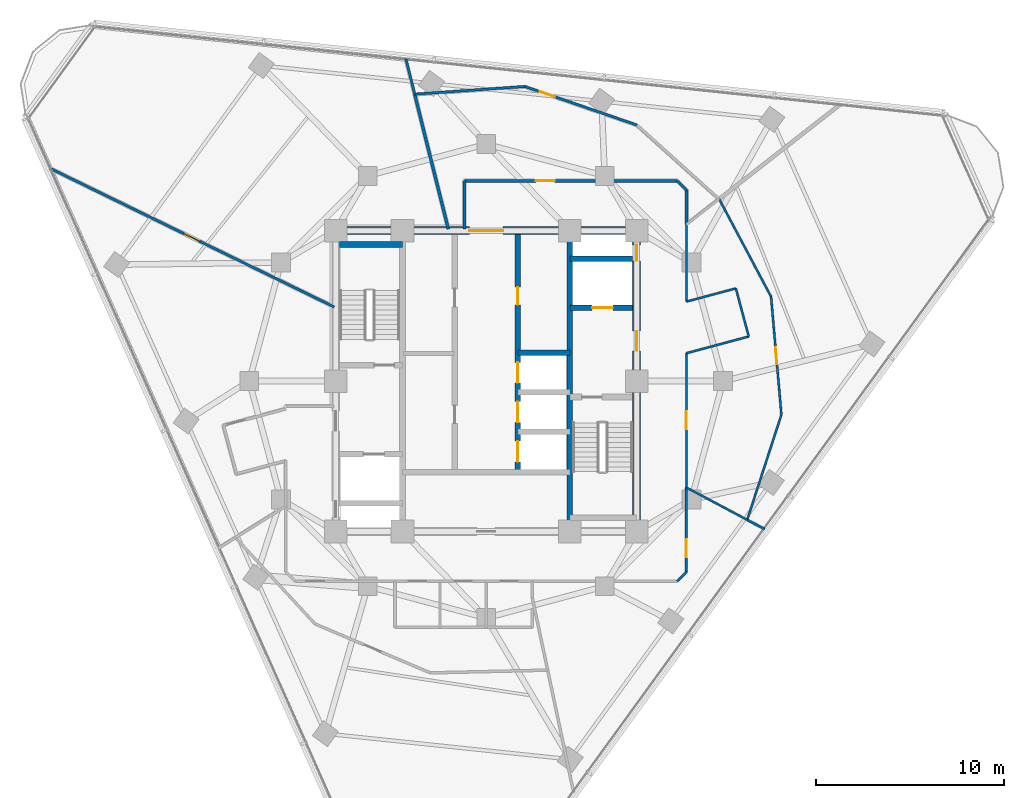
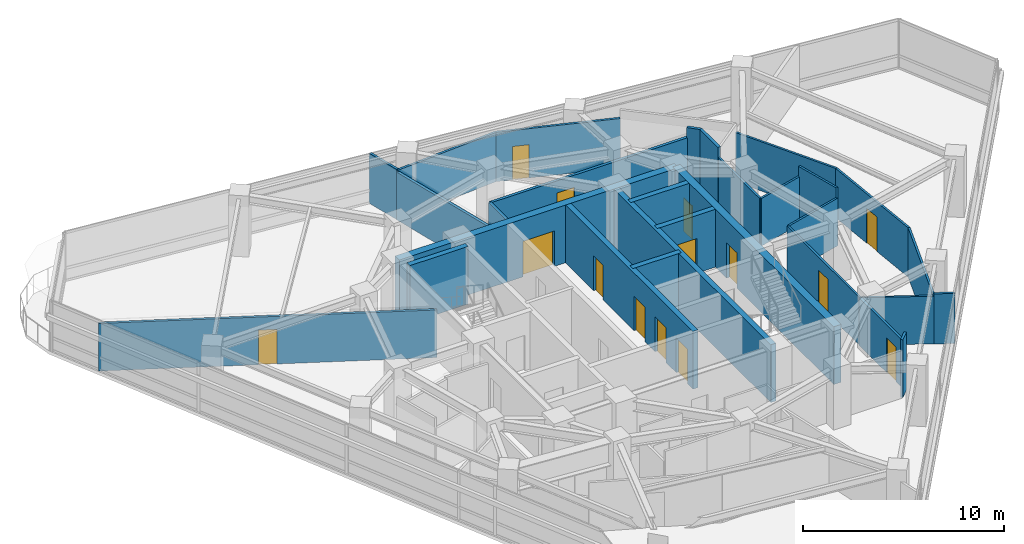
# One storey, part 9 of 14: 29 walls, 14 doors, 14 openings.
"""IFC4 building model written with IfcOpenShell, lengths in metres."""

from ifc_helpers import new_model, si_unit, direction, frame, frame_2d, origin, place, context, subcontext, project, spatial, rectangle, extrude, material, layer, layer_set, type_object, element, fill, save


model = new_model("IFC4")

# Units and contexts
model_context = context("Model", 3, precision=1e-05, world=origin(), true_north=direction((0.0, 1.0)))
body_context = subcontext(model_context, "Body", "Model", "MODEL_VIEW")
ifc_project = project(units=[si_unit("LENGTHUNIT", "METRE"), si_unit("AREAUNIT", "SQUARE_METRE"), si_unit("VOLUMEUNIT", "CUBIC_METRE"), si_unit("PLANEANGLEUNIT", "RADIAN"), si_unit("MASSUNIT", "GRAM", prefix="KILO")], contexts=[model_context])

# Site, building, storey
site_placement = place(None, origin())
site = spatial("IfcSite", under=ifc_project, at=site_placement, CompositionType="ELEMENT")
building_placement = place(site_placement, origin())
building = spatial("IfcBuilding", under=site, at=building_placement, Name="Terralouvre Media Tower", CompositionType="ELEMENT")
storey_placement = place(building_placement, frame((0.0, 0.0, 222.60009765625)))
storey = spatial("IfcBuildingStorey", under=building, at=storey_placement, Name="L57", CompositionType="ELEMENT", Elevation=222.60009765625)

# Walls
ifc_material_1 = material(Name="Concrete C50/60", Category="concrete")
ifc_layer_1 = layer(ifc_material_1, 0.300048828125, Name="Core Internal Shaft Wall CW-300")
ifc_layer_set_1 = layer_set([ifc_layer_1], Name="Concrete C50/60")
wall_type_1 = type_object("IfcWallType", Name="Core Internal Shaft Wall CW-300", PredefinedType="SHEAR", material=ifc_layer_set_1)
wall_1_placement = place(storey_placement, frame((4.449951171875, -7.7900390625, 0.0), z_axis=(0.0, 0.0, 1.0), x_axis=(0.0, 1.0, 0.0)))
element("IfcWall", 1, at=wall_1_placement, inside=storey, type_object=wall_type_1, Name="L57 Core Shaft Wall SPE", PredefinedType="SHEAR", context=body_context, shape_type="SweptSolid", body=[
    extrude(rectangle(XDim=15.580078125, YDim=0.300048828125, at=frame_2d((7.7900390625, 0.0))), origin(), (0.0, 0.0, 1.0), 3.5),
])
wall_2_placement = place(storey_placement, frame((-7.7900390625, 7.260009765625, 0.0), z_axis=(0.0, 0.0, 1.0), x_axis=(1.0, 0.0, 0.0)))
element("IfcWall", 2, at=wall_2_placement, inside=storey, type_object=wall_type_1, Name="L57 Core Shaft Wall ST1F", PredefinedType="SHEAR", context=body_context, shape_type="SweptSolid", body=[
    extrude(rectangle(XDim=3.340087890625, YDim=0.300048828125, at=frame_2d((1.669921875, 0.0))), origin(), (0.0, 0.0, 1.0), 3.5),
])

# Wall, opening, door
wall_3_placement = place(storey_placement, frame((4.449951171875, 3.89990234375, 0.0), z_axis=(0.0, 0.0, 1.0), x_axis=(1.0, 0.0, 0.0)))
wall_3 = element("IfcWall", 3, at=wall_3_placement, inside=storey, type_object=wall_type_1, Name="L57 Core Shaft Wall FF2S", PredefinedType="SHEAR", context=body_context, shape_type="SweptSolid", body=[
    extrude(rectangle(XDim=3.340087890625, YDim=0.300048828125, at=frame_2d((1.669921875, 0.0))), origin(), (0.0, 0.0, 1.0), 3.5),
])
opening_1_placement = place(wall_3_placement, frame((1.179931640625, 0.0, 0.0)))
opening_1 = element("IfcOpeningElement", 4, at=opening_1_placement, cuts=wall_3, Name="Opening LD-FF", PredefinedType="OPENING", context=body_context, shape_type="SweptSolid", body=[
    extrude(rectangle(XDim=1.10009765625, YDim=2.10009765625, at=frame_2d((0.550048828125, 1.050048828125))), frame((0.0, 0.159912109375, 0.0), z_axis=(0.0, -1.0, 0.0), x_axis=(1.0, 0.0, 0.0)), (0.0, 0.0, 1.0), 0.320068359375),
])
ifc_material_2 = material(Name="Stainless steel 316 handrail and balustrade", Category="steel")
door_type_1 = type_object("IfcDoorType", Name="Firefighting Lift Sliding Landing Door LD-FF", OperationType="SLIDING_TO_LEFT", PredefinedType="DOOR", material=ifc_material_2)
door_1_placement = place(opening_1_placement, origin())
door_1 = element("IfcDoor", 5, at=door_1_placement, inside=storey, type_object=door_type_1, Name="L57 Firefighting Lift FFL-02 Landing Door", OperationType="SLIDING_TO_LEFT", OverallHeight=2.10009765625, OverallWidth=1.10009765625, PredefinedType="DOOR", context=body_context, shape_type="SweptSolid", body=[
    extrude(rectangle(XDim=1.10009765625, YDim=2.10009765625, at=frame_2d((0.550048828125, 1.050048828125))), frame((0.0, 0.02490234375, 0.0), z_axis=(0.0, -1.0, 0.0), x_axis=(1.0, 0.0, 0.0)), (0.0, 0.0, 1.0), 0.050048828125),
])
fill(opening_1, door_1)

# Wall
wall_4_placement = place(storey_placement, frame((4.449951171875, 6.5, 0.0), z_axis=(0.0, 0.0, 1.0), x_axis=(1.0, 0.0, 0.0)))
element("IfcWall", 6, at=wall_4_placement, inside=storey, type_object=wall_type_1, Name="L57 Core Shaft Wall FF2N", PredefinedType="SHEAR", context=body_context, shape_type="SweptSolid", body=[
    extrude(rectangle(XDim=3.340087890625, YDim=0.300048828125, at=frame_2d((1.669921875, 0.0))), origin(), (0.0, 0.0, 1.0), 3.5),
])

# Wall, openings, doors
wall_5_placement = place(storey_placement, frame((1.679931640625, -4.85009765625, 0.0), z_axis=(0.0, 0.0, 1.0), x_axis=(0.0, 1.0, 0.0)))
wall_5 = element("IfcWall", 7, at=wall_5_placement, inside=storey, type_object=wall_type_1, Name="L57 Core Shaft Wall LBE", PredefinedType="SHEAR", context=body_context, shape_type="SweptSolid", body=[
    extrude(rectangle(XDim=12.64013671875, YDim=0.300048828125, at=frame_2d((6.320068359375, 0.0))), origin(), (0.0, 0.0, 1.0), 3.5),
])
opening_2_placement = place(wall_5_placement, frame((0.550048828125, 0.0, 0.0)))
opening_2 = element("IfcOpeningElement", 8, at=opening_2_placement, cuts=wall_5, Name="Opening LD-PL", PredefinedType="OPENING", context=body_context, shape_type="SweptSolid", body=[
    extrude(rectangle(XDim=1.10009765625, YDim=2.10009765625, at=frame_2d((0.550048828125, 1.050048828125))), frame((0.0, 0.159912109375, 0.0), z_axis=(0.0, -1.0, 0.0), x_axis=(1.0, 0.0, 0.0)), (0.0, 0.0, 1.0), 0.320068359375),
])
opening_3_placement = place(wall_5_placement, frame((2.64990234375, 0.0, 0.0)))
opening_3 = element("IfcOpeningElement", 9, at=opening_3_placement, cuts=wall_5, Name="Opening LD-PL", PredefinedType="OPENING", context=body_context, shape_type="SweptSolid", body=[
    extrude(rectangle(XDim=1.10009765625, YDim=2.10009765625, at=frame_2d((0.550048828125, 1.050048828125))), frame((0.0, 0.159912109375, 0.0), z_axis=(0.0, -1.0, 0.0), x_axis=(1.0, 0.0, 0.0)), (0.0, 0.0, 1.0), 0.320068359375),
])
opening_4_placement = place(wall_5_placement, frame((4.75, 0.0, 0.0)))
opening_4 = element("IfcOpeningElement", 10, at=opening_4_placement, cuts=wall_5, Name="Opening LD-PL", PredefinedType="OPENING", context=body_context, shape_type="SweptSolid", body=[
    extrude(rectangle(XDim=1.10009765625, YDim=2.10009765625, at=frame_2d((0.550048828125, 1.050048828125))), frame((0.0, 0.159912109375, 0.0), z_axis=(0.0, -1.0, 0.0), x_axis=(1.0, 0.0, 0.0)), (0.0, 0.0, 1.0), 0.320068359375),
])
opening_5_placement = place(wall_5_placement, frame((8.89990234375, 0.0, 0.0)))
opening_5 = element("IfcOpeningElement", 11, at=opening_5_placement, cuts=wall_5, Name="Opening FD-02-95X210", PredefinedType="OPENING", context=body_context, shape_type="SweptSolid", body=[
    extrude(rectangle(XDim=0.949951171875, YDim=2.10009765625, at=frame_2d((0.47509765625, 1.050048828125))), frame((0.0, 0.159912109375, 0.0), z_axis=(0.0, -1.0, 0.0), x_axis=(1.0, 0.0, 0.0)), (0.0, 0.0, 1.0), 0.320068359375),
])
ifc_material_3 = material(Name="Stainless steel 316 handrail and balustrade", Category="steel")
door_type_2 = type_object("IfcDoorType", Name="Passenger Lift Sliding Landing Door LD-PL", OperationType="SLIDING_TO_LEFT", PredefinedType="DOOR", material=ifc_material_3)
door_2_placement = place(opening_2_placement, origin())
door_2 = element("IfcDoor", 12, at=door_2_placement, inside=storey, type_object=door_type_2, Name="L57 High-Rise Lift PL-H1 Landing Door", OperationType="SLIDING_TO_LEFT", OverallHeight=2.10009765625, OverallWidth=1.10009765625, PredefinedType="DOOR", context=body_context, shape_type="SweptSolid", body=[
    extrude(rectangle(XDim=1.10009765625, YDim=2.10009765625, at=frame_2d((0.550048828125, 1.050048828125))), frame((0.0, 0.02490234375, 0.0), z_axis=(0.0, -1.0, 0.0), x_axis=(1.0, 0.0, 0.0)), (0.0, 0.0, 1.0), 0.050048828125),
])
fill(opening_2, door_2)
door_3_placement = place(opening_3_placement, origin())
door_3 = element("IfcDoor", 13, at=door_3_placement, inside=storey, type_object=door_type_2, Name="L57 High-Rise Lift PL-H2 Landing Door", OperationType="SLIDING_TO_LEFT", OverallHeight=2.10009765625, OverallWidth=1.10009765625, PredefinedType="DOOR", context=body_context, shape_type="SweptSolid", body=[
    extrude(rectangle(XDim=1.10009765625, YDim=2.10009765625, at=frame_2d((0.550048828125, 1.050048828125))), frame((0.0, 0.02490234375, 0.0), z_axis=(0.0, -1.0, 0.0), x_axis=(1.0, 0.0, 0.0)), (0.0, 0.0, 1.0), 0.050048828125),
])
fill(opening_3, door_3)
door_4_placement = place(opening_4_placement, origin())
door_4 = element("IfcDoor", 14, at=door_4_placement, inside=storey, type_object=door_type_2, Name="L57 High-Rise Lift PL-H3 Landing Door", OperationType="SLIDING_TO_LEFT", OverallHeight=2.10009765625, OverallWidth=1.10009765625, PredefinedType="DOOR", context=body_context, shape_type="SweptSolid", body=[
    extrude(rectangle(XDim=1.10009765625, YDim=2.10009765625, at=frame_2d((0.550048828125, 1.050048828125))), frame((0.0, 0.02490234375, 0.0), z_axis=(0.0, -1.0, 0.0), x_axis=(1.0, 0.0, 0.0)), (0.0, 0.0, 1.0), 0.050048828125),
])
fill(opening_4, door_4)
ifc_material_4 = material(Name="Galvanised steel fire-resisting leaf", Category="steel")
door_type_3 = type_object("IfcDoorType", Name="Plant and Riser Fire Door FD-02 (950x2100)", OperationType="NOTDEFINED", PredefinedType="DOOR", material=ifc_material_4)
door_5_placement = place(opening_5_placement, origin())
door_5 = element("IfcDoor", 15, at=door_5_placement, inside=storey, type_object=door_type_3, Name="L57 Core AHU Sub-Plant Door", OperationType="SINGLE_SWING_LEFT", OverallHeight=2.10009765625, OverallWidth=0.949951171875, PredefinedType="DOOR", context=body_context, shape_type="SweptSolid", body=[
    extrude(rectangle(XDim=0.949951171875, YDim=2.10009765625, at=frame_2d((0.47509765625, 1.050048828125))), frame((0.0, 0.02490234375, 0.0), z_axis=(0.0, -1.0, 0.0), x_axis=(1.0, 0.0, 0.0)), (0.0, 0.0, 1.0), 0.050048828125),
])
fill(opening_5, door_5)

# Wall
wall_6_placement = place(storey_placement, frame((1.679931640625, 1.5, 0.0), z_axis=(0.0, 0.0, 1.0), x_axis=(1.0, 0.0, 0.0)))
element("IfcWall", 16, at=wall_6_placement, inside=storey, type_object=wall_type_1, Name="L57 Core Shaft Wall PLMBOT", PredefinedType="SHEAR", context=body_context, shape_type="SweptSolid", body=[
    extrude(rectangle(XDim=2.77001953125, YDim=0.300048828125, at=frame_2d((1.385009765625, 0.0))), origin(), (0.0, 0.0, 1.0), 3.5),
])

# Wall, openings, doors
ifc_material_5 = material(Name="Concrete C60/75", Category="concrete")
ifc_layer_2 = layer(ifc_material_5, 0.419921875, Name="Core Reinforced Concrete Shear Wall CW-420")
ifc_layer_set_2 = layer_set([ifc_layer_2], Name="Concrete C60/75")
wall_type_2 = type_object("IfcWallType", Name="Core Reinforced Concrete Shear Wall CW-420", PredefinedType="SHEAR", material=ifc_layer_set_2)
wall_7_placement = place(storey_placement, frame((8.0, -8.0, 0.0), z_axis=(0.0, 0.0, 1.0), x_axis=(0.0, 1.0, 0.0)))
wall_7 = element("IfcWall", 17, at=wall_7_placement, inside=storey, type_object=wall_type_2, Name="L57 E Core Shear Wall", PredefinedType="SHEAR", context=body_context, shape_type="SweptSolid", body=[
    extrude(rectangle(XDim=16.0, YDim=0.419921875, at=frame_2d((8.0, 0.0))), origin(), (0.0, 0.0, 1.0), 3.5),
])
opening_6_placement = place(wall_7_placement, frame((9.60009765625, 0.0, 0.0)))
opening_6 = element("IfcOpeningElement", 18, at=opening_6_placement, cuts=wall_7, Name="Opening FD-01-105X215", PredefinedType="OPENING", context=body_context, shape_type="SweptSolid", body=[
    extrude(rectangle(XDim=1.050048828125, YDim=2.14990234375, at=frame_2d((0.52490234375, 1.074951171875))), frame((0.0, 0.219970703125, 0.0), z_axis=(0.0, -1.0, 0.0), x_axis=(1.0, 0.0, 0.0)), (0.0, 0.0, 1.0), 0.43994140625),
])
opening_7_placement = place(wall_7_placement, frame((14.388671875, 0.0, 0.0)))
opening_7 = element("IfcOpeningElement", 19, at=opening_7_placement, cuts=wall_7, Name="Opening TD-R1", PredefinedType="OPENING", context=body_context, shape_type="SweptSolid", body=[
    extrude(rectangle(XDim=0.85009765625, YDim=2.02001953125, at=frame_2d((0.425048828125, 1.010009765625))), frame((0.0, 0.219970703125, 0.0), z_axis=(0.0, -1.0, 0.0), x_axis=(1.0, 0.0, 0.0)), (0.0, 0.0, 1.0), 0.43994140625),
])
ifc_material_6 = material(Name="Galvanised steel fire-resisting leaf", Category="steel")
door_type_4 = type_object("IfcDoorType", Name="Riser Inspection Access Trapdoor TD-R1", OperationType="NOTDEFINED", PredefinedType="TRAPDOOR", material=ifc_material_6)
door_6_placement = place(opening_7_placement, origin())
door_6 = element("IfcDoor", 20, at=door_6_placement, inside=storey, type_object=door_type_4, Name="L57 East Comms Riser Access Trapdoor", OperationType="SINGLE_SWING_RIGHT", OverallHeight=2.02001953125, OverallWidth=0.85009765625, PredefinedType="TRAPDOOR", context=body_context, shape_type="SweptSolid", body=[
    extrude(rectangle(XDim=0.85009765625, YDim=2.02001953125, at=frame_2d((0.425048828125, 1.010009765625))), frame((0.0, 0.02490234375, 0.0), z_axis=(0.0, -1.0, 0.0), x_axis=(1.0, 0.0, 0.0)), (0.0, 0.0, 1.0), 0.050048828125),
])
fill(opening_7, door_6)
ifc_material_7 = material(Name="Galvanised steel fire-resisting leaf", Category="steel")
door_type_5 = type_object("IfcDoorType", Name="Stair and Firefighting Lobby Fire Door FD-01 (1050x2150)", OperationType="NOTDEFINED", PredefinedType="DOOR", material=ifc_material_7)
door_7_placement = place(opening_6_placement, origin())
door_7 = element("IfcDoor", 21, at=door_7_placement, inside=storey, type_object=door_type_5, Name="L57 East Firefighting Lobby Entry Door", OperationType="SINGLE_SWING_LEFT", OverallHeight=2.14990234375, OverallWidth=1.050048828125, PredefinedType="DOOR", context=body_context, shape_type="SweptSolid", body=[
    extrude(rectangle(XDim=1.050048828125, YDim=2.14990234375, at=frame_2d((0.52490234375, 1.074951171875))), frame((0.0, 0.02490234375, 0.0), z_axis=(0.0, -1.0, 0.0), x_axis=(1.0, 0.0, 0.0)), (0.0, 0.0, 1.0), 0.050048828125),
])
fill(opening_6, door_7)

# Wall, opening, door
wall_8_placement = place(storey_placement, frame((-8.0, 8.0, 0.0), z_axis=(0.0, 0.0, 1.0), x_axis=(1.0, 0.0, 0.0)))
wall_8 = element("IfcWall", 22, at=wall_8_placement, inside=storey, type_object=wall_type_2, Name="L57 N Core Shear Wall", PredefinedType="SHEAR", context=body_context, shape_type="SweptSolid", body=[
    extrude(rectangle(XDim=16.0, YDim=0.419921875, at=frame_2d((8.0, 0.0))), origin(), (0.0, 0.0, 1.0), 3.5),
])
opening_8_placement = place(wall_8_placement, frame((7.10009765625, 0.0, 0.0)))
opening_8 = element("IfcOpeningElement", 23, at=opening_8_placement, cuts=wall_8, Name="Opening FD-03", PredefinedType="OPENING", context=body_context, shape_type="SweptSolid", body=[
    extrude(rectangle(XDim=1.800048828125, YDim=2.14990234375, at=frame_2d((0.89990234375, 1.074951171875))), frame((0.0, 0.219970703125, 0.0), z_axis=(0.0, -1.0, 0.0), x_axis=(1.0, 0.0, 0.0)), (0.0, 0.0, 1.0), 0.43994140625),
])
ifc_material_8 = material(Name="Galvanised steel fire-resisting leaf", Category="steel")
door_type_6 = type_object("IfcDoorType", Name="Corridor Smoke-Control Double Door FD-03", OperationType="DOUBLE_DOOR_SINGLE_SWING", PredefinedType="DOOR", material=ifc_material_8)
door_8_placement = place(opening_8_placement, origin())
door_8 = element("IfcDoor", 24, at=door_8_placement, inside=storey, type_object=door_type_6, Name="L57 Central Lift Lobby Portal Door", OperationType="DOUBLE_DOOR_SINGLE_SWING", OverallHeight=2.14990234375, OverallWidth=1.800048828125, PredefinedType="DOOR", context=body_context, shape_type="SweptSolid", body=[
    extrude(rectangle(XDim=1.800048828125, YDim=2.14990234375, at=frame_2d((0.89990234375, 1.074951171875))), frame((0.0, 0.02490234375, 0.0), z_axis=(0.0, -1.0, 0.0), x_axis=(1.0, 0.0, 0.0)), (0.0, 0.0, 1.0), 0.050048828125),
])
fill(opening_8, door_8)

# Wall
ifc_material_9 = material(Name="Fire-rated gypsum board drywall partition")
ifc_layer_3 = layer(ifc_material_9, 0.135009765625, Name="Newsroom Acoustic Partition PT-135")
ifc_layer_set_3 = layer_set([ifc_layer_3], Name="Fire-rated gypsum board drywall partition")
wall_type_3 = type_object("IfcWallType", Name="Newsroom Acoustic Partition PT-135", PredefinedType="PARTITIONING", material=ifc_layer_set_3)
wall_9_placement = place(storey_placement, frame((10.14990234375, -10.64990234375, 0.0), z_axis=(0.0, 0.0, 1.0), x_axis=(0.707106781187, 0.707106781187, 0.0)))
element("IfcWall", 25, at=wall_9_placement, inside=storey, type_object=wall_type_3, Name="L57 Interior Partition 018", PredefinedType="PARTITIONING", context=body_context, shape_type="SweptSolid", body=[
    extrude(rectangle(XDim=0.70703125, YDim=0.135009765625, at=frame_2d((0.353515625, 0.0))), origin(), (0.0, 0.0, 1.0), 3.5),
])

# Wall, opening, door
wall_10_placement = place(storey_placement, frame((10.64990234375, -10.14990234375, 0.0), z_axis=(0.0, 0.0, 1.0), x_axis=(0.0, 1.0, 0.0)))
wall_10 = element("IfcWall", 26, at=wall_10_placement, inside=storey, type_object=wall_type_3, Name="L57 Interior Partition 019", PredefinedType="PARTITIONING", context=body_context, shape_type="SweptSolid", body=[
    extrude(rectangle(XDim=4.48681640625, YDim=0.135009765625, at=frame_2d((2.243408203125, 0.0))), origin(), (0.0, 0.0, 1.0), 2.885009765625),
])
opening_9_placement = place(wall_10_placement, frame((0.781494140625, 0.0, 0.0)))
opening_9 = element("IfcOpeningElement", 27, at=opening_9_placement, cuts=wall_10, Name="Opening ID-02-95X210", PredefinedType="OPENING", context=body_context, shape_type="SweptSolid", body=[
    extrude(rectangle(XDim=0.949951171875, YDim=2.10009765625, at=frame_2d((0.47509765625, 1.050048828125))), frame((0.0, 0.077392578125, 0.0), z_axis=(0.0, -1.0, 0.0), x_axis=(1.0, 0.0, 0.0)), (0.0, 0.0, 1.0), 0.155029296875),
])
ifc_material_10 = material(Name="Engineered hardwood acoustic timber leaf", Category="wood")
door_type_7 = type_object("IfcDoorType", Name="Office and Meeting Room Door ID-02 (950x2100)", OperationType="NOTDEFINED", PredefinedType="DOOR", material=ifc_material_10)
door_9_placement = place(opening_9_placement, origin())
door_9 = element("IfcDoor", 28, at=door_9_placement, inside=storey, type_object=door_type_7, Name="L57 VIP Visitor Reception 5 Door", OperationType="SINGLE_SWING_RIGHT", OverallHeight=2.10009765625, OverallWidth=0.949951171875, PredefinedType="DOOR", context=body_context, shape_type="SweptSolid", body=[
    extrude(rectangle(XDim=0.949951171875, YDim=2.10009765625, at=frame_2d((0.47509765625, 1.050048828125))), frame((0.0, 0.02490234375, 0.0), z_axis=(0.0, -1.0, 0.0), x_axis=(1.0, 0.0, 0.0)), (0.0, 0.0, 1.0), 0.050048828125),
])
fill(opening_9, door_9)

wall_11_placement = place(storey_placement, frame((-8.080078125, 3.940673828125, 0.0), z_axis=(0.0, 0.0, 1.0), x_axis=(-0.898787530524, 0.438384505856, 0.0)))
wall_11 = element("IfcWall", 29, at=wall_11_placement, inside=storey, type_object=wall_type_3, Name="L57 Interior Partition 026", PredefinedType="PARTITIONING", context=body_context, shape_type="SweptSolid", body=[
    extrude(rectangle(XDim=16.842529296875, YDim=0.135009765625, at=frame_2d((8.42138671875, 0.0))), origin(), (0.0, 0.0, 1.0), 2.885009765625),
])
opening_10_placement = place(wall_11_placement, frame((7.96142578125, 0.0, 0.0)))
opening_10 = element("IfcOpeningElement", 30, at=opening_10_placement, cuts=wall_11, Name="Opening ID-03-92X210", PredefinedType="OPENING", context=body_context, shape_type="SweptSolid", body=[
    extrude(rectangle(XDim=0.919921875, YDim=2.10009765625, at=frame_2d((0.4599609375, 1.050048828125))), frame((0.0, 0.077392578125, 0.0), z_axis=(0.0, -1.0, 0.0), x_axis=(1.0, 0.0, 0.0)), (0.0, 0.0, 1.0), 0.155029296875),
])
ifc_material_11 = material(Name="Engineered hardwood acoustic timber leaf", Category="wood")
door_type_8 = type_object("IfcDoorType", Name="Accessible Restroom and Suite Door ID-03 (920x2100)", OperationType="NOTDEFINED", PredefinedType="DOOR", material=ifc_material_11)
door_10_placement = place(opening_10_placement, origin())
door_10 = element("IfcDoor", 31, at=door_10_placement, inside=storey, type_object=door_type_8, Name="L57 Network Executive Boardroom 9 Door", OperationType="SINGLE_SWING_LEFT", OverallHeight=2.10009765625, OverallWidth=0.919921875, PredefinedType="DOOR", context=body_context, shape_type="SweptSolid", body=[
    extrude(rectangle(XDim=0.919921875, YDim=2.10009765625, at=frame_2d((0.4599609375, 1.050048828125))), frame((0.0, 0.02490234375, 0.0), z_axis=(0.0, -1.0, 0.0), x_axis=(1.0, 0.0, 0.0)), (0.0, 0.0, 1.0), 0.050048828125),
])
fill(opening_10, door_10)

# Walls
wall_12_placement = place(storey_placement, frame((14.805419921875, -7.871826171875, 0.0), z_axis=(0.0, 0.0, 1.0), x_axis=(-0.883242549552, 0.468916409033, 0.0)))
element("IfcWall", 32, at=wall_12_placement, inside=storey, type_object=wall_type_3, Name="L57 Interior Partition 045", PredefinedType="PARTITIONING", context=body_context, shape_type="SweptSolid", body=[
    extrude(rectangle(XDim=1.04638671875, YDim=0.135009765625, at=frame_2d((0.523193359375, 0.0))), origin(), (0.0, 0.0, 1.0), 3.034912109375),
])
wall_13_placement = place(storey_placement, frame((-3.802978515625, 15.2548828125, 0.0), z_axis=(0.0, 0.0, 1.0), x_axis=(0.997563622011, 0.069762597718, 0.0)))
element("IfcWall", 33, at=wall_13_placement, inside=storey, type_object=wall_type_3, Name="L57 Interior Partition 047", PredefinedType="PARTITIONING", context=body_context, shape_type="SweptSolid", body=[
    extrude(rectangle(XDim=5.87939453125, YDim=0.135009765625, at=frame_2d((2.939697265625, 0.0))), origin(), (0.0, 0.0, 1.0), 2.98486328125),
])

# Wall, opening, door
wall_14_placement = place(storey_placement, frame((2.06201171875, 15.6650390625, 0.0), z_axis=(0.0, 0.0, 1.0), x_axis=(0.94552565825, -0.32554758422, 0.0)))
wall_14 = element("IfcWall", 34, at=wall_14_placement, inside=storey, type_object=wall_type_3, Name="L57 Interior Partition 048", PredefinedType="PARTITIONING", context=body_context, shape_type="SweptSolid", body=[
    extrude(rectangle(XDim=6.30029296875, YDim=0.135009765625, at=frame_2d((3.150146484375, 0.0))), origin(), (0.0, 0.0, 1.0), 2.98486328125),
])
opening_11_placement = place(wall_14_placement, frame((0.8349609375, 0.0, 0.0)))
opening_11 = element("IfcOpeningElement", 35, at=opening_11_placement, cuts=wall_14, Name="Opening TD-R1", PredefinedType="OPENING", context=body_context, shape_type="SweptSolid", body=[
    extrude(rectangle(XDim=0.85009765625, YDim=2.02001953125, at=frame_2d((0.425048828125, 1.010009765625))), frame((0.0, 0.077392578125, 0.0), z_axis=(0.0, -1.0, 0.0), x_axis=(1.0, 0.0, 0.0)), (0.0, 0.0, 1.0), 0.155029296875),
])
door_11_placement = place(opening_11_placement, origin())
door_11 = element("IfcDoor", 36, at=door_11_placement, inside=storey, type_object=door_type_4, Name="L57 Company Secretary Office 7 Door", OperationType="SINGLE_SWING_RIGHT", OverallHeight=2.02001953125, OverallWidth=0.85009765625, PredefinedType="TRAPDOOR", context=body_context, shape_type="SweptSolid", body=[
    extrude(rectangle(XDim=0.85009765625, YDim=2.02001953125, at=frame_2d((0.425048828125, 1.010009765625))), frame((0.0, 0.02490234375, 0.0), z_axis=(0.0, -1.0, 0.0), x_axis=(1.0, 0.0, 0.0)), (0.0, 0.0, 1.0), 0.050048828125),
])
fill(opening_11, door_11)

# Wall
wall_15_placement = place(storey_placement, frame((-4.275390625, 17.1455078125, 0.0), z_axis=(0.0, 0.0, 1.0), x_axis=(0.242417712213, -0.970171970738, 0.0)))
element("IfcWall", 37, at=wall_15_placement, inside=storey, type_object=wall_type_3, Name="L57 Interior Partition 050", PredefinedType="PARTITIONING", context=body_context, shape_type="SweptSolid", body=[
    extrude(rectangle(XDim=1.94873046875, YDim=0.135009765625, at=frame_2d((0.974365234375, 0.0))), origin(), (0.0, 0.0, 1.0), 3.034912109375),
])

# Wall, opening, door
ifc_material_12 = material(Name="Fire-rated gypsum board drywall partition")
ifc_layer_4 = layer(ifc_material_12, 0.114990234375, Name="Restroom and Pantry Partition PT-115")
ifc_layer_set_4 = layer_set([ifc_layer_4], Name="Fire-rated gypsum board drywall partition")
wall_type_4 = type_object("IfcWallType", Name="Restroom and Pantry Partition PT-115", PredefinedType="PARTITIONING", material=ifc_layer_set_4)
wall_16_placement = place(storey_placement, frame((10.64990234375, -5.6630859375, 0.0), z_axis=(0.0, 0.0, 1.0), x_axis=(0.0, 1.0, 0.0)))
wall_16 = element("IfcWall", 38, at=wall_16_placement, inside=storey, type_object=wall_type_4, Name="L57 Interior Partition 006", PredefinedType="PARTITIONING", context=body_context, shape_type="SweptSolid", body=[
    extrude(rectangle(XDim=7.14501953125, YDim=0.114990234375, at=frame_2d((3.572509765625, 0.0))), origin(), (0.0, 0.0, 1.0), 2.885009765625),
])
opening_12_placement = place(wall_16_placement, frame((3.097412109375, 0.0, 0.0)))
opening_12 = element("IfcOpeningElement", 39, at=opening_12_placement, cuts=wall_16, Name="Opening SD-01-95X210", PredefinedType="OPENING", context=body_context, shape_type="SweptSolid", body=[
    extrude(rectangle(XDim=0.949951171875, YDim=2.10009765625, at=frame_2d((0.47509765625, 1.050048828125))), frame((0.0, 0.0673828125, 0.0), z_axis=(0.0, -1.0, 0.0), x_axis=(1.0, 0.0, 0.0)), (0.0, 0.0, 1.0), 0.135009765625),
])
ifc_material_13 = material(Name="Anodised extruded aluminium 6063-T6", Category="aluminium")
door_type_9 = type_object("IfcDoorType", Name="Pantry Pocket Sliding Door SD-01 (950x2100)", OperationType="SLIDING_TO_LEFT", PredefinedType="DOOR", material=ifc_material_13)
door_12_placement = place(opening_12_placement, origin())
door_12 = element("IfcDoor", 40, at=door_12_placement, inside=storey, type_object=door_type_9, Name="L57 Board Catering Kitchen 2 Door", OperationType="SLIDING_TO_LEFT", OverallHeight=2.10009765625, OverallWidth=0.949951171875, PredefinedType="DOOR", context=body_context, shape_type="SweptSolid", body=[
    extrude(rectangle(XDim=0.949951171875, YDim=2.10009765625, at=frame_2d((0.47509765625, 1.050048828125))), frame((0.0, 0.02490234375, 0.0), z_axis=(0.0, -1.0, 0.0), x_axis=(1.0, 0.0, 0.0)), (0.0, 0.0, 1.0), 0.050048828125),
])
fill(opening_12, door_12)

# Walls
wall_17_placement = place(storey_placement, frame((10.64990234375, 1.48193359375, 0.0), z_axis=(0.0, 0.0, 1.0), x_axis=(0.965961397105, 0.2586862565, 0.0)))
element("IfcWall", 41, at=wall_17_placement, inside=storey, type_object=wall_type_4, Name="L57 Interior Partition 007", PredefinedType="PARTITIONING", context=body_context, shape_type="SweptSolid", body=[
    extrude(rectangle(XDim=3.4287109375, YDim=0.114990234375, at=frame_2d((1.71435546875, 0.0))), origin(), (0.0, 0.0, 1.0), 2.885009765625),
])
wall_18_placement = place(storey_placement, frame((13.9619140625, 2.368896484375, 0.0), z_axis=(0.0, 0.0, 1.0), x_axis=(-0.258413725385, 0.966034340245, 0.0)))
element("IfcWall", 42, at=wall_18_placement, inside=storey, type_object=wall_type_4, Name="L57 Interior Partition 008", PredefinedType="PARTITIONING", context=body_context, shape_type="SweptSolid", body=[
    extrude(rectangle(XDim=2.650146484375, YDim=0.114990234375, at=frame_2d((1.3251953125, 0.0))), origin(), (0.0, 0.0, 1.0), 3.5),
])
wall_19_placement = place(storey_placement, frame((13.277099609375, 4.928955078125, 0.0), z_axis=(0.0, 0.0, 1.0), x_axis=(-0.965934830229, -0.258785439601, 0.0)))
element("IfcWall", 43, at=wall_19_placement, inside=storey, type_object=wall_type_4, Name="L57 Interior Partition 009", PredefinedType="PARTITIONING", context=body_context, shape_type="SweptSolid", body=[
    extrude(rectangle(XDim=2.719970703125, YDim=0.114990234375, at=frame_2d((1.35986328125, 0.0))), origin(), (0.0, 0.0, 1.0), 2.885009765625),
])
wall_20_placement = place(storey_placement, frame((10.64990234375, 4.22509765625, 0.0), z_axis=(0.0, 0.0, 1.0), x_axis=(0.0, 1.0, 0.0)))
element("IfcWall", 44, at=wall_20_placement, inside=storey, type_object=wall_type_4, Name="L57 Interior Partition 010", PredefinedType="PARTITIONING", context=body_context, shape_type="SweptSolid", body=[
    extrude(rectangle(XDim=4.095947265625, YDim=0.114990234375, at=frame_2d((2.0478515625, 0.0))), origin(), (0.0, 0.0, 1.0), 2.885009765625),
])
wall_21_placement = place(storey_placement, frame((10.64990234375, -5.6630859375, 0.0), z_axis=(0.0, 0.0, 1.0), x_axis=(0.882952413676, -0.469462496036, 0.0)))
element("IfcWall", 45, at=wall_21_placement, inside=storey, type_object=wall_type_4, Name="L57 Interior Partition 027", PredefinedType="PARTITIONING", context=body_context, shape_type="SweptSolid", body=[
    extrude(rectangle(XDim=3.659423828125, YDim=0.114990234375, at=frame_2d((1.82958984375, 0.0))), origin(), (0.0, 0.0, 1.0), 2.885009765625),
])
wall_22_placement = place(storey_placement, frame((13.881103515625, -7.381103515625, 0.0), z_axis=(0.0, 0.0, 1.0), x_axis=(0.309006266506, 0.951060001924, 0.0)))
element("IfcWall", 46, at=wall_22_placement, inside=storey, type_object=wall_type_4, Name="L57 Interior Partition 028", PredefinedType="PARTITIONING", context=body_context, shape_type="SweptSolid", body=[
    extrude(rectangle(XDim=5.8798828125, YDim=0.114990234375, at=frame_2d((2.93994140625, 0.0))), origin(), (0.0, 0.0, 1.0), 2.98486328125),
])

# Wall, opening, door
wall_23_placement = place(storey_placement, frame((15.697998046875, -1.7890625, 0.0), z_axis=(0.0, 0.0, 1.0), x_axis=(-0.087153009445, 0.996194937221, 0.0)))
wall_23 = element("IfcWall", 47, at=wall_23_placement, inside=storey, type_object=wall_type_4, Name="L57 Interior Partition 029", PredefinedType="PARTITIONING", context=body_context, shape_type="SweptSolid", body=[
    extrude(rectangle(XDim=6.300048828125, YDim=0.114990234375, at=frame_2d((3.14990234375, 0.0))), origin(), (0.0, 0.0, 1.0), 2.98486328125),
])
opening_13_placement = place(wall_23_placement, frame((2.68994140625, 0.0, 0.0)))
opening_13 = element("IfcOpeningElement", 48, at=opening_13_placement, cuts=wall_23, Name="Opening FD-05-92X210", PredefinedType="OPENING", context=body_context, shape_type="SweptSolid", body=[
    extrude(rectangle(XDim=0.919921875, YDim=2.10009765625, at=frame_2d((0.4599609375, 1.050048828125))), frame((0.0, 0.0673828125, 0.0), z_axis=(0.0, -1.0, 0.0), x_axis=(1.0, 0.0, 0.0)), (0.0, 0.0, 1.0), 0.135009765625),
])
ifc_material_14 = material(Name="Galvanised steel fire-resisting leaf", Category="steel")
door_type_10 = type_object("IfcDoorType", Name="Core Accessible Closet Fire Door FD-05 (920x2100)", OperationType="NOTDEFINED", PredefinedType="DOOR", material=ifc_material_14)
door_13_placement = place(opening_13_placement, origin())
door_13 = element("IfcDoor", 49, at=door_13_placement, inside=storey, type_object=door_type_10, Name="L57 Encrypted Comms Server Room 6 Door", OperationType="SINGLE_SWING_LEFT", OverallHeight=2.10009765625, OverallWidth=0.919921875, PredefinedType="DOOR", context=body_context, shape_type="SweptSolid", body=[
    extrude(rectangle(XDim=0.919921875, YDim=2.10009765625, at=frame_2d((0.4599609375, 1.050048828125))), frame((0.0, 0.02490234375, 0.0), z_axis=(0.0, -1.0, 0.0), x_axis=(1.0, 0.0, 0.0)), (0.0, 0.0, 1.0), 0.050048828125),
])
fill(opening_13, door_13)

# Walls
wall_24_placement = place(storey_placement, frame((15.14892578125, 4.487060546875, 0.0), z_axis=(0.0, 0.0, 1.0), x_axis=(-0.469396049876, 0.882987739643, 0.0)))
element("IfcWall", 50, at=wall_24_placement, inside=storey, type_object=wall_type_4, Name="L57 Interior Partition 030", PredefinedType="PARTITIONING", context=body_context, shape_type="SweptSolid", body=[
    extrude(rectangle(XDim=5.8798828125, YDim=0.114990234375, at=frame_2d((2.93994140625, 0.0))), origin(), (0.0, 0.0, 1.0), 2.98486328125),
])
ifc_material_15 = material(Name="Fire-rated gypsum board drywall partition")
ifc_layer_5 = layer(ifc_material_15, 0.159912109375, Name="Studio Acoustic Rated Partition PT-160")
ifc_layer_set_5 = layer_set([ifc_layer_5], Name="Fire-rated gypsum board drywall partition")
wall_type_5 = type_object("IfcWallType", Name="Studio Acoustic Rated Partition PT-160", PredefinedType="PARTITIONING", material=ifc_layer_set_5)
wall_25_placement = place(storey_placement, frame((10.64990234375, 8.321044921875, 0.0), z_axis=(0.0, 0.0, 1.0), x_axis=(0.0, 1.0, 0.0)))
element("IfcWall", 51, at=wall_25_placement, inside=storey, type_object=wall_type_5, Name="L57 Interior Partition 020", PredefinedType="PARTITIONING", context=body_context, shape_type="SweptSolid", body=[
    extrude(rectangle(XDim=1.828857421875, YDim=0.159912109375, at=frame_2d((0.91455078125, 0.0))), origin(), (0.0, 0.0, 1.0), 3.5),
])
wall_26_placement = place(storey_placement, frame((10.64990234375, 10.14990234375, 0.0), z_axis=(0.0, 0.0, 1.0), x_axis=(-0.707106781187, 0.707106781187, 0.0)))
element("IfcWall", 52, at=wall_26_placement, inside=storey, type_object=wall_type_5, Name="L57 Interior Partition 021", PredefinedType="PARTITIONING", context=body_context, shape_type="SweptSolid", body=[
    extrude(rectangle(XDim=0.70703125, YDim=0.159912109375, at=frame_2d((0.353515625, 0.0))), origin(), (0.0, 0.0, 1.0), 3.5),
])

# Wall, opening, door
wall_27_placement = place(storey_placement, frame((10.14990234375, 10.64990234375, 0.0), z_axis=(0.0, 0.0, 1.0), x_axis=(-1.0, 0.0, 0.0)))
wall_27 = element("IfcWall", 53, at=wall_27_placement, inside=storey, type_object=wall_type_5, Name="L57 Interior Partition 022", PredefinedType="PARTITIONING", context=body_context, shape_type="SweptSolid", body=[
    extrude(rectangle(XDim=11.2998046875, YDim=0.159912109375, at=frame_2d((5.64990234375, 0.0))), origin(), (0.0, 0.0, 1.0), 2.885009765625),
])
opening_14_placement = place(wall_27_placement, frame((6.506103515625, 0.0, 0.0)))
opening_14 = element("IfcOpeningElement", 54, at=opening_14_placement, cuts=wall_27, Name="Opening ID-01-100X215", PredefinedType="OPENING", context=body_context, shape_type="SweptSolid", body=[
    extrude(rectangle(XDim=1.0, YDim=2.14990234375, at=frame_2d((0.5, 1.074951171875))), frame((0.0, 0.08984375, 0.0), z_axis=(0.0, -1.0, 0.0), x_axis=(1.0, 0.0, 0.0)), (0.0, 0.0, 1.0), 0.179931640625),
])
ifc_material_16 = material(Name="Engineered hardwood acoustic timber leaf", Category="wood")
door_type_11 = type_object("IfcDoorType", Name="Broadcast Studio Acoustic Single Door ID-01 (1000x2150)", OperationType="NOTDEFINED", PredefinedType="DOOR", material=ifc_material_16)
door_14_placement = place(opening_14_placement, origin())
door_14 = element("IfcDoor", 55, at=door_14_placement, inside=storey, type_object=door_type_11, Name="L57 Executive Security Control Room 8 Door", OperationType="SINGLE_SWING_LEFT", OverallHeight=2.14990234375, OverallWidth=1.0, PredefinedType="DOOR", context=body_context, shape_type="SweptSolid", body=[
    extrude(rectangle(XDim=1.0, YDim=2.14990234375, at=frame_2d((0.5, 1.074951171875))), frame((0.0, 0.02490234375, 0.0), z_axis=(0.0, -1.0, 0.0), x_axis=(1.0, 0.0, 0.0)), (0.0, 0.0, 1.0), 0.050048828125),
])
fill(opening_14, door_14)

# Walls
wall_28_placement = place(storey_placement, frame((-1.14990234375, 10.64990234375, 0.0), z_axis=(0.0, 0.0, 1.0), x_axis=(0.0, -1.0, 0.0)))
element("IfcWall", 56, at=wall_28_placement, inside=storey, type_object=wall_type_5, Name="L57 Interior Partition 023", PredefinedType="PARTITIONING", context=body_context, shape_type="SweptSolid", body=[
    extrude(rectangle(XDim=2.56982421875, YDim=0.159912109375, at=frame_2d((1.284912109375, 0.0))), origin(), (0.0, 0.0, 1.0), 2.885009765625),
])
wall_29_placement = place(storey_placement, frame((-3.802978515625, 15.2548828125, 0.0), z_axis=(0.0, 0.0, 1.0), x_axis=(0.241851911951, -0.970313172479, 0.0)))
element("IfcWall", 57, at=wall_29_placement, inside=storey, type_object=wall_type_5, Name="L57 Interior Partition 051", PredefinedType="PARTITIONING", context=body_context, shape_type="SweptSolid", body=[
    extrude(rectangle(XDim=7.394287109375, YDim=0.159912109375, at=frame_2d((3.697265625, 0.0))), origin(), (0.0, 0.0, 1.0), 2.885009765625),
])

save(model, "model.ifc")
